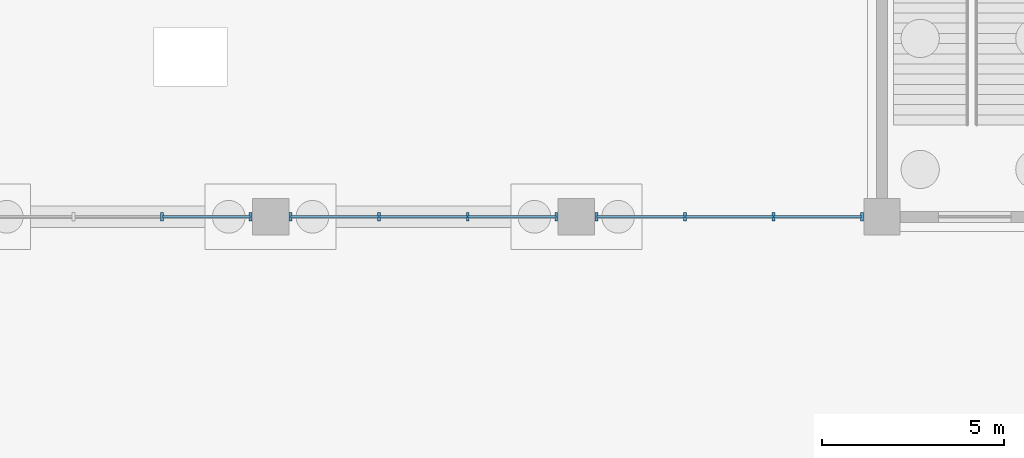
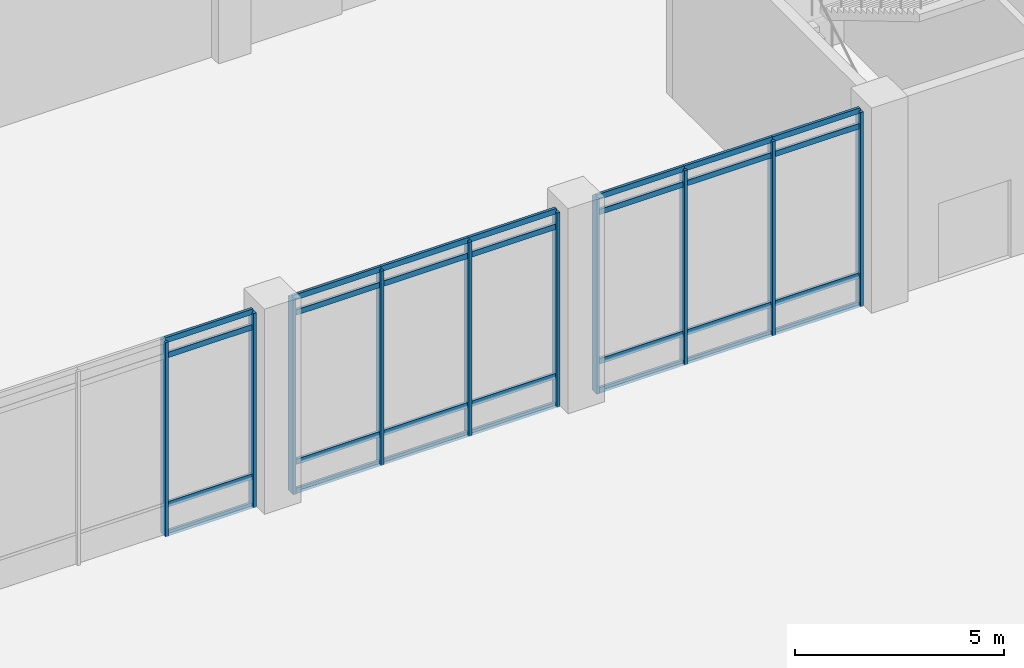
# One storey, part 26 of 72: 38 members, 3 elements without a shape of their own.
"""IFC4 building model written with IfcOpenShell, lengths in metres."""

from ifc_helpers import new_model, si_unit, direction, frame, origin, origin_2d, place, context, subcontext, project, spatial, rectangle, extrude, material, layer, layer_set, material_profile, profile_set, type_object, element, aggregate, save


model = new_model("IFC4")

# Units and contexts
model_context = context("Model", 3, precision=1e-05, world=origin(), true_north=direction((0.0, 1.0)))
body_context = subcontext(model_context, "Body", "Model", "MODEL_VIEW")
ifc_project = project(units=[si_unit("LENGTHUNIT", "METRE"), si_unit("AREAUNIT", "SQUARE_METRE"), si_unit("VOLUMEUNIT", "CUBIC_METRE"), si_unit("PLANEANGLEUNIT", "RADIAN"), si_unit("MASSUNIT", "GRAM", prefix="KILO")], contexts=[model_context])

# Site, building, storey
site_placement = place(None, origin())
site = spatial("IfcSite", under=ifc_project, at=site_placement, CompositionType="ELEMENT")
building_placement = place(site_placement, origin())
building = spatial("IfcBuilding", under=site, at=building_placement, Name="Qawsi Khor Wholesale Market", CompositionType="ELEMENT")
storey_placement = place(building_placement, origin())
storey = spatial("IfcBuildingStorey", under=building, at=storey_placement, Name="L00", CompositionType="ELEMENT", Elevation=0.0)

# Curtain wall, members
ifc_material = material(Name="Aluminium Anodised Bronze", Category="aluminium")
ifc_layer = layer(ifc_material, 0.219970703125, Name="Aluminium Anodised Bronze")
ifc_layer_set = layer_set([ifc_layer], Name="Aluminium Anodised Bronze")
curtain_wall_type = type_object("IfcCurtainWallType", Name="Auction Clerestory Curtain Wall CW-04", PredefinedType="NOTDEFINED", material=ifc_layer_set)
curtain_wall_1_placement = place(storey_placement, origin())
curtain_wall_1 = element("IfcCurtainWall", 1, at=curtain_wall_1_placement, inside=storey, type_object=curtain_wall_type, Name="Curtain wall CW-CW-04-L00-105", PredefinedType="NOTDEFINED")
ifc_material_profile_1 = material_profile(ifc_material, rectangle(XDim=0.080078125, YDim=0.239990234375, at=origin_2d()), Name="ALU MULLION 80x240")
ifc_profile_set_1 = profile_set([ifc_material_profile_1], Name="Aluminium Anodised Bronze")
member_type_1 = type_object("IfcMemberType", Name="Curtain Wall Mullion CW-04 ALU MULLION 80x240", PredefinedType="MULLION", material=ifc_profile_set_1)
member_1_placement = place(storey_placement, frame((106.216796875, 92.39990234375, -0.02001953125), z_axis=(0.0, 0.0, 1.0), x_axis=(1.0, 0.0, 0.0)))
member_1 = element("IfcMember", 2, at=member_1_placement, type_object=member_type_1, Name="Mullion CW-CW-04-L00-105-M02", PredefinedType="MULLION", context=body_context, shape_type="SweptSolid", body=[
    extrude(rectangle(XDim=0.080078125, YDim=0.239990234375, at=origin_2d()), origin(), (0.0, 0.0, 1.0), 5.68994140625),
])
member_2_placement = place(storey_placement, frame((108.64990234375, 92.39990234375, -0.02001953125), z_axis=(0.0, 0.0, 1.0), x_axis=(1.0, 0.0, 0.0)))
member_2 = element("IfcMember", 3, at=member_2_placement, type_object=member_type_1, Name="Mullion CW-CW-04-L00-105-M03", PredefinedType="MULLION", context=body_context, shape_type="SweptSolid", body=[
    extrude(rectangle(XDim=0.080078125, YDim=0.239990234375, at=origin_2d()), origin(), (0.0, 0.0, 1.0), 5.68994140625),
])

curtain_wall_2_placement = place(storey_placement, origin())
curtain_wall_2 = element("IfcCurtainWall", 4, at=curtain_wall_2_placement, inside=storey, type_object=curtain_wall_type, Name="Curtain wall CW-CW-04-L00-108", PredefinedType="NOTDEFINED")
member_3_placement = place(storey_placement, frame((109.75, 92.39990234375, -0.02001953125), z_axis=(0.0, 0.0, 1.0), x_axis=(1.0, 0.0, 0.0)))
member_3 = element("IfcMember", 5, at=member_3_placement, type_object=member_type_1, Name="Mullion CW-CW-04-L00-108-M00", PredefinedType="MULLION", context=body_context, shape_type="SweptSolid", body=[
    extrude(rectangle(XDim=0.080078125, YDim=0.239990234375, at=origin_2d()), origin(), (0.0, 0.0, 1.0), 5.68994140625),
])
member_4_placement = place(storey_placement, frame((112.183349609375, 92.39990234375, -0.02001953125), z_axis=(0.0, 0.0, 1.0), x_axis=(1.0, 0.0, 0.0)))
member_4 = element("IfcMember", 6, at=member_4_placement, type_object=member_type_1, Name="Mullion CW-CW-04-L00-108-M01", PredefinedType="MULLION", context=body_context, shape_type="SweptSolid", body=[
    extrude(rectangle(XDim=0.080078125, YDim=0.239990234375, at=origin_2d()), origin(), (0.0, 0.0, 1.0), 5.68994140625),
])
member_5_placement = place(storey_placement, frame((114.61669921875, 92.39990234375, -0.02001953125), z_axis=(0.0, 0.0, 1.0), x_axis=(1.0, 0.0, 0.0)))
member_5 = element("IfcMember", 7, at=member_5_placement, type_object=member_type_1, Name="Mullion CW-CW-04-L00-108-M02", PredefinedType="MULLION", context=body_context, shape_type="SweptSolid", body=[
    extrude(rectangle(XDim=0.080078125, YDim=0.239990234375, at=origin_2d()), origin(), (0.0, 0.0, 1.0), 5.68994140625),
])
member_6_placement = place(storey_placement, frame((117.050048828125, 92.39990234375, -0.02001953125), z_axis=(0.0, 0.0, 1.0), x_axis=(1.0, 0.0, 0.0)))
member_6 = element("IfcMember", 8, at=member_6_placement, type_object=member_type_1, Name="Mullion CW-CW-04-L00-108-M03", PredefinedType="MULLION", context=body_context, shape_type="SweptSolid", body=[
    extrude(rectangle(XDim=0.080078125, YDim=0.239990234375, at=origin_2d()), origin(), (0.0, 0.0, 1.0), 5.68994140625),
])

curtain_wall_3_placement = place(storey_placement, origin())
curtain_wall_3 = element("IfcCurtainWall", 9, at=curtain_wall_3_placement, inside=storey, type_object=curtain_wall_type, Name="Curtain wall CW-CW-04-L00-111", PredefinedType="NOTDEFINED")
member_7_placement = place(storey_placement, frame((118.14990234375, 92.39990234375, -0.02001953125), z_axis=(0.0, 0.0, 1.0), x_axis=(1.0, 0.0, 0.0)))
member_7 = element("IfcMember", 10, at=member_7_placement, type_object=member_type_1, Name="Mullion CW-CW-04-L00-111-M00", PredefinedType="MULLION", context=body_context, shape_type="SweptSolid", body=[
    extrude(rectangle(XDim=0.080078125, YDim=0.239990234375, at=origin_2d()), origin(), (0.0, 0.0, 1.0), 5.68994140625),
])
member_8_placement = place(storey_placement, frame((120.583251953125, 92.39990234375, -0.02001953125), z_axis=(0.0, 0.0, 1.0), x_axis=(1.0, 0.0, 0.0)))
member_8 = element("IfcMember", 11, at=member_8_placement, type_object=member_type_1, Name="Mullion CW-CW-04-L00-111-M01", PredefinedType="MULLION", context=body_context, shape_type="SweptSolid", body=[
    extrude(rectangle(XDim=0.080078125, YDim=0.239990234375, at=origin_2d()), origin(), (0.0, 0.0, 1.0), 5.68994140625),
])
member_9_placement = place(storey_placement, frame((123.0166015625, 92.39990234375, -0.02001953125), z_axis=(0.0, 0.0, 1.0), x_axis=(1.0, 0.0, 0.0)))
member_9 = element("IfcMember", 12, at=member_9_placement, type_object=member_type_1, Name="Mullion CW-CW-04-L00-111-M02", PredefinedType="MULLION", context=body_context, shape_type="SweptSolid", body=[
    extrude(rectangle(XDim=0.080078125, YDim=0.239990234375, at=origin_2d()), origin(), (0.0, 0.0, 1.0), 5.68994140625),
])
member_10_placement = place(storey_placement, frame((125.449951171875, 92.39990234375, -0.02001953125), z_axis=(0.0, 0.0, 1.0), x_axis=(1.0, 0.0, 0.0)))
member_10 = element("IfcMember", 13, at=member_10_placement, type_object=member_type_1, Name="Mullion CW-CW-04-L00-111-M03", PredefinedType="MULLION", context=body_context, shape_type="SweptSolid", body=[
    extrude(rectangle(XDim=0.080078125, YDim=0.239990234375, at=origin_2d()), origin(), (0.0, 0.0, 1.0), 5.68994140625),
])

# Member
ifc_material_profile_2 = material_profile(ifc_material, rectangle(XDim=0.074951171875, YDim=0.159912109375, at=origin_2d()), Name="ALU TRANSOM 75x160")
ifc_profile_set_2 = profile_set([ifc_material_profile_2], Name="Aluminium Anodised Bronze")
member_type_2 = type_object("IfcMemberType", Name="Curtain Wall Transom CW-04 ALU TRANSOM 75x160", PredefinedType="USERDEFINED", material=ifc_profile_set_2)
member_11_placement = place(storey_placement, frame((106.216796875, 92.39990234375, 0.0), z_axis=(1.0, 0.0, 0.0), x_axis=(0.0, 1.0, 0.0)))
member_11 = element("IfcMember", 14, at=member_11_placement, type_object=member_type_2, Name="Transom CW-CW-04-L00-105-T0_02", ObjectType="TRANSOM", PredefinedType="USERDEFINED", context=body_context, shape_type="SweptSolid", body=[
    extrude(rectangle(XDim=0.074951171875, YDim=0.159912109375, at=origin_2d()), origin(), (0.0, 0.0, 1.0), 2.43310546875),
])

member_12_placement = place(storey_placement, frame((106.216796875, 92.39990234375, 0.85009765625), z_axis=(1.0, 0.0, 0.0), x_axis=(0.0, 1.0, 0.0)))
member_12 = element("IfcMember", 15, at=member_12_placement, type_object=member_type_2, Name="Transom CW-CW-04-L00-105-T1_02", ObjectType="TRANSOM", PredefinedType="USERDEFINED", context=body_context, shape_type="SweptSolid", body=[
    extrude(rectangle(XDim=0.074951171875, YDim=0.159912109375, at=origin_2d()), origin(), (0.0, 0.0, 1.0), 2.43310546875),
])

member_13_placement = place(storey_placement, frame((106.216796875, 92.39990234375, 5.219970703125), z_axis=(1.0, 0.0, 0.0), x_axis=(0.0, 1.0, 0.0)))
member_13 = element("IfcMember", 16, at=member_13_placement, type_object=member_type_2, Name="Transom CW-CW-04-L00-105-T2_02", ObjectType="TRANSOM", PredefinedType="USERDEFINED", context=body_context, shape_type="SweptSolid", body=[
    extrude(rectangle(XDim=0.074951171875, YDim=0.159912109375, at=origin_2d()), origin(), (0.0, 0.0, 1.0), 2.43310546875),
])

member_14_placement = place(storey_placement, frame((106.216796875, 92.39990234375, 5.669921875), z_axis=(1.0, 0.0, 0.0), x_axis=(0.0, 1.0, 0.0)))
member_14 = element("IfcMember", 17, at=member_14_placement, type_object=member_type_2, Name="Transom CW-CW-04-L00-105-T3_02", ObjectType="TRANSOM", PredefinedType="USERDEFINED", context=body_context, shape_type="SweptSolid", body=[
    extrude(rectangle(XDim=0.074951171875, YDim=0.159912109375, at=origin_2d()), origin(), (0.0, 0.0, 1.0), 2.43310546875),
])

aggregate(curtain_wall_1, [member_1, member_2, member_11, member_12, member_13, member_14])

member_15_placement = place(storey_placement, frame((109.75, 92.39990234375, 0.0), z_axis=(1.0, 0.0, 0.0), x_axis=(0.0, 1.0, 0.0)))
member_15 = element("IfcMember", 18, at=member_15_placement, type_object=member_type_2, Name="Transom CW-CW-04-L00-108-T0_00", ObjectType="TRANSOM", PredefinedType="USERDEFINED", context=body_context, shape_type="SweptSolid", body=[
    extrude(rectangle(XDim=0.074951171875, YDim=0.159912109375, at=origin_2d()), origin(), (0.0, 0.0, 1.0), 2.433349609375),
])

member_16_placement = place(storey_placement, frame((112.183349609375, 92.39990234375, 0.0), z_axis=(1.0, 0.0, 0.0), x_axis=(0.0, 1.0, 0.0)))
member_16 = element("IfcMember", 19, at=member_16_placement, type_object=member_type_2, Name="Transom CW-CW-04-L00-108-T0_01", ObjectType="TRANSOM", PredefinedType="USERDEFINED", context=body_context, shape_type="SweptSolid", body=[
    extrude(rectangle(XDim=0.074951171875, YDim=0.159912109375, at=origin_2d()), origin(), (0.0, 0.0, 1.0), 2.433349609375),
])

member_17_placement = place(storey_placement, frame((114.61669921875, 92.39990234375, 0.0), z_axis=(1.0, 0.0, 0.0), x_axis=(0.0, 1.0, 0.0)))
member_17 = element("IfcMember", 20, at=member_17_placement, type_object=member_type_2, Name="Transom CW-CW-04-L00-108-T0_02", ObjectType="TRANSOM", PredefinedType="USERDEFINED", context=body_context, shape_type="SweptSolid", body=[
    extrude(rectangle(XDim=0.074951171875, YDim=0.159912109375, at=origin_2d()), origin(), (0.0, 0.0, 1.0), 2.433349609375),
])

member_18_placement = place(storey_placement, frame((109.75, 92.39990234375, 0.85009765625), z_axis=(1.0, 0.0, 0.0), x_axis=(0.0, 1.0, 0.0)))
member_18 = element("IfcMember", 21, at=member_18_placement, type_object=member_type_2, Name="Transom CW-CW-04-L00-108-T1_00", ObjectType="TRANSOM", PredefinedType="USERDEFINED", context=body_context, shape_type="SweptSolid", body=[
    extrude(rectangle(XDim=0.074951171875, YDim=0.159912109375, at=origin_2d()), origin(), (0.0, 0.0, 1.0), 2.433349609375),
])

member_19_placement = place(storey_placement, frame((112.183349609375, 92.39990234375, 0.85009765625), z_axis=(1.0, 0.0, 0.0), x_axis=(0.0, 1.0, 0.0)))
member_19 = element("IfcMember", 22, at=member_19_placement, type_object=member_type_2, Name="Transom CW-CW-04-L00-108-T1_01", ObjectType="TRANSOM", PredefinedType="USERDEFINED", context=body_context, shape_type="SweptSolid", body=[
    extrude(rectangle(XDim=0.074951171875, YDim=0.159912109375, at=origin_2d()), origin(), (0.0, 0.0, 1.0), 2.433349609375),
])

member_20_placement = place(storey_placement, frame((114.61669921875, 92.39990234375, 0.85009765625), z_axis=(1.0, 0.0, 0.0), x_axis=(0.0, 1.0, 0.0)))
member_20 = element("IfcMember", 23, at=member_20_placement, type_object=member_type_2, Name="Transom CW-CW-04-L00-108-T1_02", ObjectType="TRANSOM", PredefinedType="USERDEFINED", context=body_context, shape_type="SweptSolid", body=[
    extrude(rectangle(XDim=0.074951171875, YDim=0.159912109375, at=origin_2d()), origin(), (0.0, 0.0, 1.0), 2.433349609375),
])

member_21_placement = place(storey_placement, frame((109.75, 92.39990234375, 5.219970703125), z_axis=(1.0, 0.0, 0.0), x_axis=(0.0, 1.0, 0.0)))
member_21 = element("IfcMember", 24, at=member_21_placement, type_object=member_type_2, Name="Transom CW-CW-04-L00-108-T2_00", ObjectType="TRANSOM", PredefinedType="USERDEFINED", context=body_context, shape_type="SweptSolid", body=[
    extrude(rectangle(XDim=0.074951171875, YDim=0.159912109375, at=origin_2d()), origin(), (0.0, 0.0, 1.0), 2.433349609375),
])

member_22_placement = place(storey_placement, frame((112.183349609375, 92.39990234375, 5.219970703125), z_axis=(1.0, 0.0, 0.0), x_axis=(0.0, 1.0, 0.0)))
member_22 = element("IfcMember", 25, at=member_22_placement, type_object=member_type_2, Name="Transom CW-CW-04-L00-108-T2_01", ObjectType="TRANSOM", PredefinedType="USERDEFINED", context=body_context, shape_type="SweptSolid", body=[
    extrude(rectangle(XDim=0.074951171875, YDim=0.159912109375, at=origin_2d()), origin(), (0.0, 0.0, 1.0), 2.433349609375),
])

member_23_placement = place(storey_placement, frame((114.61669921875, 92.39990234375, 5.219970703125), z_axis=(1.0, 0.0, 0.0), x_axis=(0.0, 1.0, 0.0)))
member_23 = element("IfcMember", 26, at=member_23_placement, type_object=member_type_2, Name="Transom CW-CW-04-L00-108-T2_02", ObjectType="TRANSOM", PredefinedType="USERDEFINED", context=body_context, shape_type="SweptSolid", body=[
    extrude(rectangle(XDim=0.074951171875, YDim=0.159912109375, at=origin_2d()), origin(), (0.0, 0.0, 1.0), 2.433349609375),
])

member_24_placement = place(storey_placement, frame((109.75, 92.39990234375, 5.669921875), z_axis=(1.0, 0.0, 0.0), x_axis=(0.0, 1.0, 0.0)))
member_24 = element("IfcMember", 27, at=member_24_placement, type_object=member_type_2, Name="Transom CW-CW-04-L00-108-T3_00", ObjectType="TRANSOM", PredefinedType="USERDEFINED", context=body_context, shape_type="SweptSolid", body=[
    extrude(rectangle(XDim=0.074951171875, YDim=0.159912109375, at=origin_2d()), origin(), (0.0, 0.0, 1.0), 2.433349609375),
])

member_25_placement = place(storey_placement, frame((112.183349609375, 92.39990234375, 5.669921875), z_axis=(1.0, 0.0, 0.0), x_axis=(0.0, 1.0, 0.0)))
member_25 = element("IfcMember", 28, at=member_25_placement, type_object=member_type_2, Name="Transom CW-CW-04-L00-108-T3_01", ObjectType="TRANSOM", PredefinedType="USERDEFINED", context=body_context, shape_type="SweptSolid", body=[
    extrude(rectangle(XDim=0.074951171875, YDim=0.159912109375, at=origin_2d()), origin(), (0.0, 0.0, 1.0), 2.433349609375),
])

member_26_placement = place(storey_placement, frame((114.61669921875, 92.39990234375, 5.669921875), z_axis=(1.0, 0.0, 0.0), x_axis=(0.0, 1.0, 0.0)))
member_26 = element("IfcMember", 29, at=member_26_placement, type_object=member_type_2, Name="Transom CW-CW-04-L00-108-T3_02", ObjectType="TRANSOM", PredefinedType="USERDEFINED", context=body_context, shape_type="SweptSolid", body=[
    extrude(rectangle(XDim=0.074951171875, YDim=0.159912109375, at=origin_2d()), origin(), (0.0, 0.0, 1.0), 2.433349609375),
])

aggregate(curtain_wall_2, [member_3, member_4, member_5, member_6, member_15, member_16, member_17, member_18, member_19, member_20, member_21, member_22, member_23, member_24, member_25, member_26])

member_27_placement = place(storey_placement, frame((118.14990234375, 92.39990234375, 0.0), z_axis=(1.0, 0.0, 0.0), x_axis=(0.0, 1.0, 0.0)))
member_27 = element("IfcMember", 30, at=member_27_placement, type_object=member_type_2, Name="Transom CW-CW-04-L00-111-T0_00", ObjectType="TRANSOM", PredefinedType="USERDEFINED", context=body_context, shape_type="SweptSolid", body=[
    extrude(rectangle(XDim=0.074951171875, YDim=0.159912109375, at=origin_2d()), origin(), (0.0, 0.0, 1.0), 2.433349609375),
])

member_28_placement = place(storey_placement, frame((120.583251953125, 92.39990234375, 0.0), z_axis=(1.0, 0.0, 0.0), x_axis=(0.0, 1.0, 0.0)))
member_28 = element("IfcMember", 31, at=member_28_placement, type_object=member_type_2, Name="Transom CW-CW-04-L00-111-T0_01", ObjectType="TRANSOM", PredefinedType="USERDEFINED", context=body_context, shape_type="SweptSolid", body=[
    extrude(rectangle(XDim=0.074951171875, YDim=0.159912109375, at=origin_2d()), origin(), (0.0, 0.0, 1.0), 2.433349609375),
])

member_29_placement = place(storey_placement, frame((123.0166015625, 92.39990234375, 0.0), z_axis=(1.0, 0.0, 0.0), x_axis=(0.0, 1.0, 0.0)))
member_29 = element("IfcMember", 32, at=member_29_placement, type_object=member_type_2, Name="Transom CW-CW-04-L00-111-T0_02", ObjectType="TRANSOM", PredefinedType="USERDEFINED", context=body_context, shape_type="SweptSolid", body=[
    extrude(rectangle(XDim=0.074951171875, YDim=0.159912109375, at=origin_2d()), origin(), (0.0, 0.0, 1.0), 2.433349609375),
])

member_30_placement = place(storey_placement, frame((118.14990234375, 92.39990234375, 0.85009765625), z_axis=(1.0, 0.0, 0.0), x_axis=(0.0, 1.0, 0.0)))
member_30 = element("IfcMember", 33, at=member_30_placement, type_object=member_type_2, Name="Transom CW-CW-04-L00-111-T1_00", ObjectType="TRANSOM", PredefinedType="USERDEFINED", context=body_context, shape_type="SweptSolid", body=[
    extrude(rectangle(XDim=0.074951171875, YDim=0.159912109375, at=origin_2d()), origin(), (0.0, 0.0, 1.0), 2.433349609375),
])

member_31_placement = place(storey_placement, frame((120.583251953125, 92.39990234375, 0.85009765625), z_axis=(1.0, 0.0, 0.0), x_axis=(0.0, 1.0, 0.0)))
member_31 = element("IfcMember", 34, at=member_31_placement, type_object=member_type_2, Name="Transom CW-CW-04-L00-111-T1_01", ObjectType="TRANSOM", PredefinedType="USERDEFINED", context=body_context, shape_type="SweptSolid", body=[
    extrude(rectangle(XDim=0.074951171875, YDim=0.159912109375, at=origin_2d()), origin(), (0.0, 0.0, 1.0), 2.433349609375),
])

member_32_placement = place(storey_placement, frame((123.0166015625, 92.39990234375, 0.85009765625), z_axis=(1.0, 0.0, 0.0), x_axis=(0.0, 1.0, 0.0)))
member_32 = element("IfcMember", 35, at=member_32_placement, type_object=member_type_2, Name="Transom CW-CW-04-L00-111-T1_02", ObjectType="TRANSOM", PredefinedType="USERDEFINED", context=body_context, shape_type="SweptSolid", body=[
    extrude(rectangle(XDim=0.074951171875, YDim=0.159912109375, at=origin_2d()), origin(), (0.0, 0.0, 1.0), 2.433349609375),
])

member_33_placement = place(storey_placement, frame((118.14990234375, 92.39990234375, 5.219970703125), z_axis=(1.0, 0.0, 0.0), x_axis=(0.0, 1.0, 0.0)))
member_33 = element("IfcMember", 36, at=member_33_placement, type_object=member_type_2, Name="Transom CW-CW-04-L00-111-T2_00", ObjectType="TRANSOM", PredefinedType="USERDEFINED", context=body_context, shape_type="SweptSolid", body=[
    extrude(rectangle(XDim=0.074951171875, YDim=0.159912109375, at=origin_2d()), origin(), (0.0, 0.0, 1.0), 2.433349609375),
])

member_34_placement = place(storey_placement, frame((120.583251953125, 92.39990234375, 5.219970703125), z_axis=(1.0, 0.0, 0.0), x_axis=(0.0, 1.0, 0.0)))
member_34 = element("IfcMember", 37, at=member_34_placement, type_object=member_type_2, Name="Transom CW-CW-04-L00-111-T2_01", ObjectType="TRANSOM", PredefinedType="USERDEFINED", context=body_context, shape_type="SweptSolid", body=[
    extrude(rectangle(XDim=0.074951171875, YDim=0.159912109375, at=origin_2d()), origin(), (0.0, 0.0, 1.0), 2.433349609375),
])

member_35_placement = place(storey_placement, frame((123.0166015625, 92.39990234375, 5.219970703125), z_axis=(1.0, 0.0, 0.0), x_axis=(0.0, 1.0, 0.0)))
member_35 = element("IfcMember", 38, at=member_35_placement, type_object=member_type_2, Name="Transom CW-CW-04-L00-111-T2_02", ObjectType="TRANSOM", PredefinedType="USERDEFINED", context=body_context, shape_type="SweptSolid", body=[
    extrude(rectangle(XDim=0.074951171875, YDim=0.159912109375, at=origin_2d()), origin(), (0.0, 0.0, 1.0), 2.433349609375),
])

member_36_placement = place(storey_placement, frame((118.14990234375, 92.39990234375, 5.669921875), z_axis=(1.0, 0.0, 0.0), x_axis=(0.0, 1.0, 0.0)))
member_36 = element("IfcMember", 39, at=member_36_placement, type_object=member_type_2, Name="Transom CW-CW-04-L00-111-T3_00", ObjectType="TRANSOM", PredefinedType="USERDEFINED", context=body_context, shape_type="SweptSolid", body=[
    extrude(rectangle(XDim=0.074951171875, YDim=0.159912109375, at=origin_2d()), origin(), (0.0, 0.0, 1.0), 2.433349609375),
])

member_37_placement = place(storey_placement, frame((120.583251953125, 92.39990234375, 5.669921875), z_axis=(1.0, 0.0, 0.0), x_axis=(0.0, 1.0, 0.0)))
member_37 = element("IfcMember", 40, at=member_37_placement, type_object=member_type_2, Name="Transom CW-CW-04-L00-111-T3_01", ObjectType="TRANSOM", PredefinedType="USERDEFINED", context=body_context, shape_type="SweptSolid", body=[
    extrude(rectangle(XDim=0.074951171875, YDim=0.159912109375, at=origin_2d()), origin(), (0.0, 0.0, 1.0), 2.433349609375),
])

member_38_placement = place(storey_placement, frame((123.0166015625, 92.39990234375, 5.669921875), z_axis=(1.0, 0.0, 0.0), x_axis=(0.0, 1.0, 0.0)))
member_38 = element("IfcMember", 41, at=member_38_placement, type_object=member_type_2, Name="Transom CW-CW-04-L00-111-T3_02", ObjectType="TRANSOM", PredefinedType="USERDEFINED", context=body_context, shape_type="SweptSolid", body=[
    extrude(rectangle(XDim=0.074951171875, YDim=0.159912109375, at=origin_2d()), origin(), (0.0, 0.0, 1.0), 2.433349609375),
])

aggregate(curtain_wall_3, [member_7, member_8, member_9, member_10, member_27, member_28, member_29, member_30, member_31, member_32, member_33, member_34, member_35, member_36, member_37, member_38])

save(model, "model.ifc")
